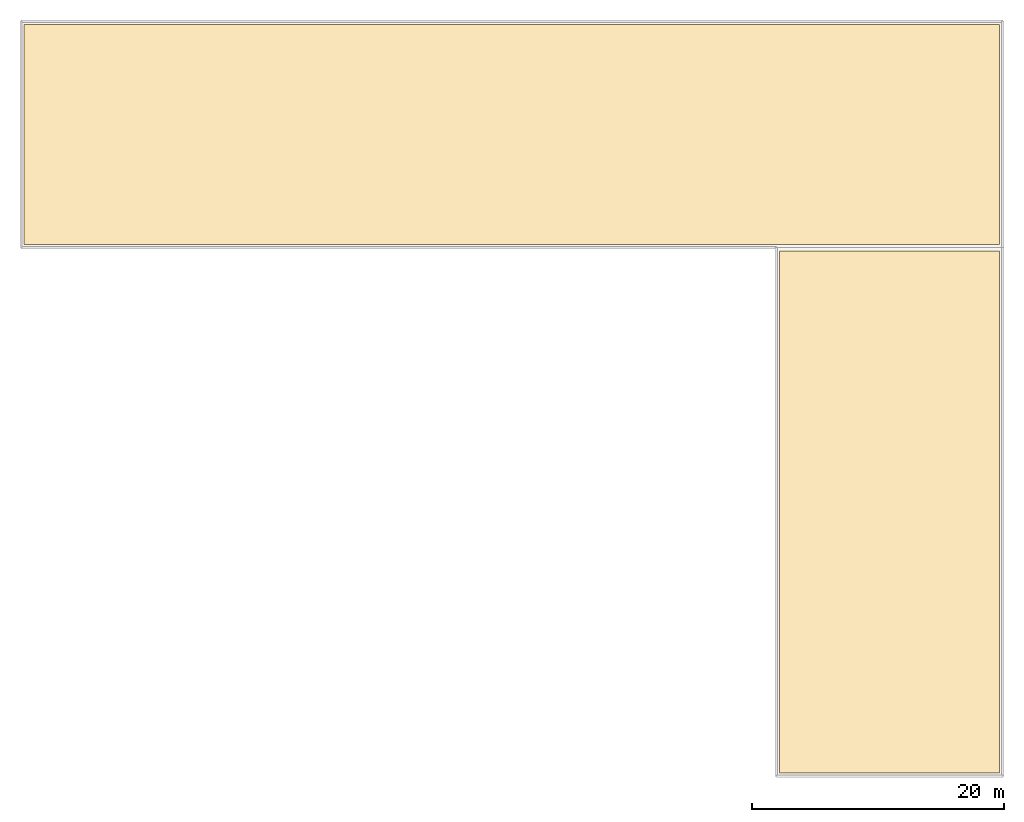
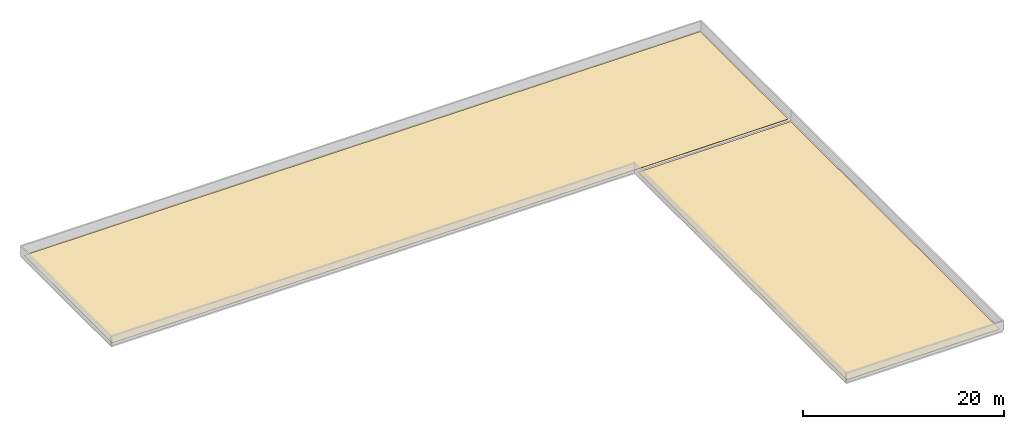
# One storey, part 2 of 2: 2 coverings.
"""IFC4 building model written with IfcOpenShell, lengths in metres."""

from ifc_helpers import new_model, si_unit, direction, frame, origin, place, context, subcontext, project, spatial, polyline, outline, extrude, material, layer, layer_set, type_object, element, save


model = new_model("IFC4")

# Units and contexts
model_context = context("Model", 3, precision=1e-05, world=origin(), true_north=direction((0.0, 1.0)))
body_context = subcontext(model_context, "Body", "Model", "MODEL_VIEW")
ifc_project = project(units=[si_unit("LENGTHUNIT", "METRE"), si_unit("AREAUNIT", "SQUARE_METRE"), si_unit("VOLUMEUNIT", "CUBIC_METRE"), si_unit("PLANEANGLEUNIT", "RADIAN"), si_unit("MASSUNIT", "GRAM", prefix="KILO"), si_unit("THERMODYNAMICTEMPERATUREUNIT", "KELVIN"), si_unit("POWERUNIT", "WATT")], contexts=[model_context])

# Site, building, storey
site_placement = place(None, origin())
site = spatial("IfcSite", under=ifc_project, at=site_placement, CompositionType="ELEMENT")
building_placement = place(site_placement, origin())
building = spatial("IfcBuilding", under=site, at=building_placement, Name="Phaisarnlok Congress Hotel", CompositionType="ELEMENT")
storey_placement = place(building_placement, frame((0.0, 0.0, 54.60009765625)))
storey = spatial("IfcBuildingStorey", under=building, at=storey_placement, Name="ROOF", CompositionType="ELEMENT", Elevation=54.60009765625)

# Coverings
ifc_material = material(Name="TPO Waterproofing Membrane & Rigid PIR Insulation", Category="other")
ifc_layer = layer(ifc_material, 0.050048828125, Name="TPO Waterproofing Membrane & Rigid PIR Insulation")
ifc_layer_set = layer_set([ifc_layer], Name="TPO Waterproofing Membrane & Rigid PIR Insulation")
covering_type = type_object("IfcCoveringType", Name="COV-ROOF-MEMB", PredefinedType="ROOFING", material=ifc_layer_set)
covering_1_placement = place(storey_placement, origin())
element("IfcCovering", 1, at=covering_1_placement, inside=storey, type_object=covering_type, Name="Main hotel roof waterproofing membrane RF-01", PredefinedType="ROOFING", context=body_context, shape_type="SweptSolid", body=[
    extrude(outline(polyline([(102.25, 108.25), (179.75, 108.25), (179.75, 125.75), (102.25, 125.75), (102.25, 108.25)])), origin(), (0.0, 0.0, 1.0), 0.0498046875),
])
covering_2_placement = place(storey_placement, origin())
element("IfcCovering", 2, at=covering_2_placement, inside=storey, type_object=covering_type, Name="Main hotel roof waterproofing membrane RF-01", PredefinedType="ROOFING", context=body_context, shape_type="SweptSolid", body=[
    extrude(outline(polyline([(162.25, 66.25), (179.75, 66.25), (179.75, 107.75), (162.25, 107.75), (162.25, 66.25)])), origin(), (0.0, 0.0, 1.0), 0.0498046875),
])

save(model, "model.ifc")
